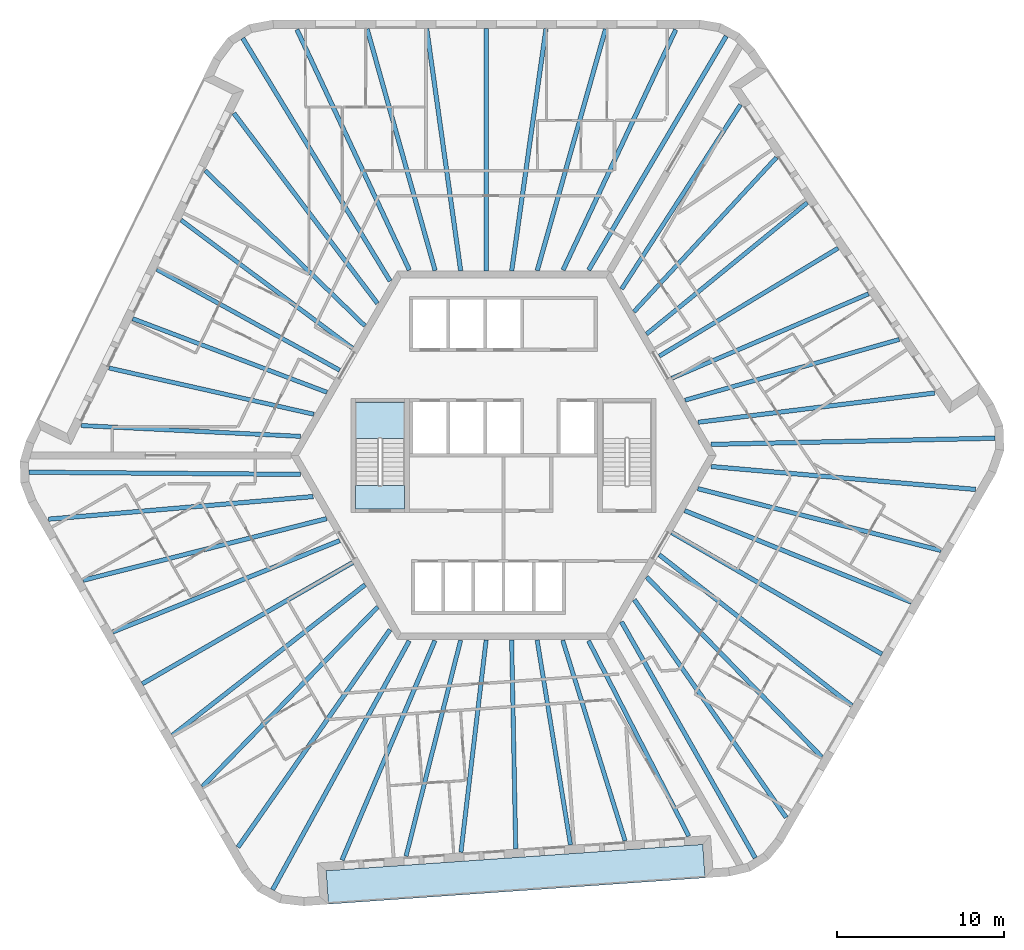
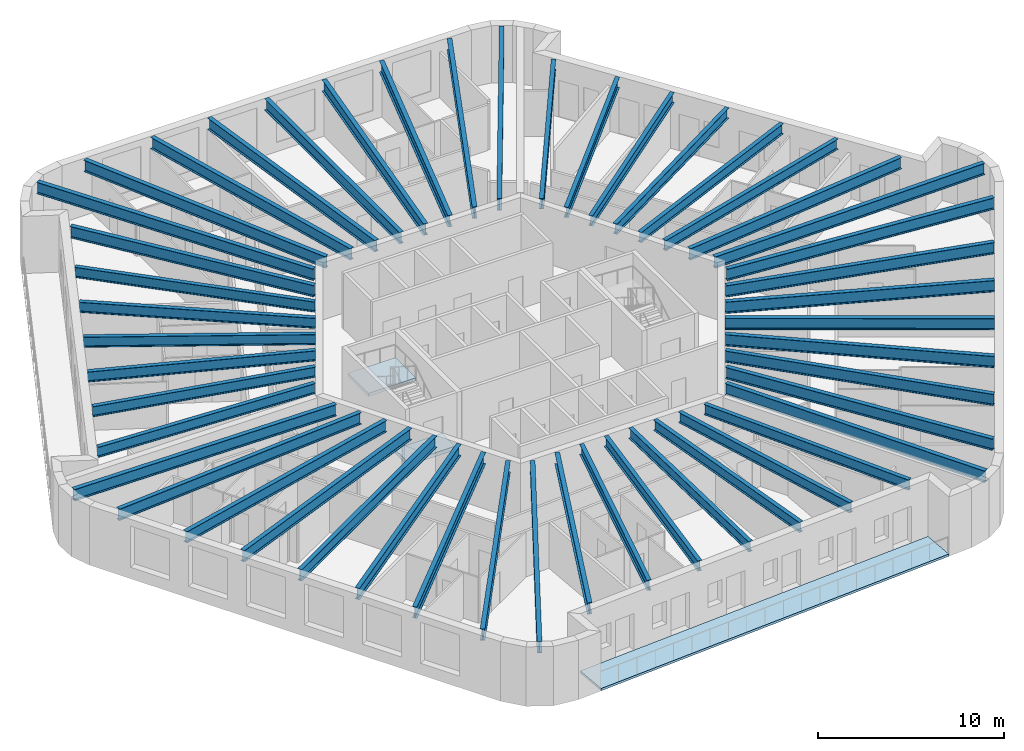
# One storey, part 1 of 12: 48 beams, 3 slabs, 1 element without a shape of its own.
"""IFC4 building model written with IfcOpenShell, lengths in metres."""

from ifc_helpers import new_model, si_unit, direction, frame, origin, origin_2d, place, context, subcontext, project, spatial, polyline, i_section, outline, extrude, material, layer, layer_set, material_profile, profile_set, type_object, element, aggregate, save


model = new_model("IFC4")

# Units and contexts
model_context = context("Model", 3, precision=1e-05, world=origin(), true_north=direction((0.0, 1.0)))
body_context = subcontext(model_context, "Body", "Model", "MODEL_VIEW")
ifc_project = project(units=[si_unit("LENGTHUNIT", "METRE"), si_unit("AREAUNIT", "SQUARE_METRE"), si_unit("VOLUMEUNIT", "CUBIC_METRE"), si_unit("PLANEANGLEUNIT", "RADIAN"), si_unit("MASSUNIT", "GRAM", prefix="KILO")], contexts=[model_context])

# Site, building, storey
site_placement = place(None, origin())
site = spatial("IfcSite", under=ifc_project, at=site_placement, CompositionType="ELEMENT")
building_placement = place(site_placement, origin())
building = spatial("IfcBuilding", under=site, at=building_placement, Name="Tarnside Tower", CompositionType="ELEMENT")
storey_placement = place(building_placement, frame((0.0, 0.0, 310.800048828125)))
storey = spatial("IfcBuildingStorey", under=building, at=storey_placement, Name="L75", CompositionType="ELEMENT", Elevation=310.800048828125)

# Beams
ifc_material_1 = material(Name="Steel S355", Category="steel")
ifc_material_profile_1 = material_profile(ifc_material_1, i_section(OverallWidth=0.2529296875, OverallDepth=0.677978515625, WebThickness=0.01171875, FlangeThickness=0.01611328125, FilletRadius=0.01513671875, at=origin_2d()), Name="UB 686x254x125")
ifc_profile_set_1 = profile_set([ifc_material_profile_1], Name="Steel S355")
beam_type_1 = type_object("IfcBeamType", Name="Floor beam UB 686x254x125", PredefinedType="BEAM", material=ifc_profile_set_1)
beam_1_placement = place(storey_placement, frame((-17.811279296875, 17.002197265625, 3.410888671875), z_axis=(0.717190986424, -0.696876666988, 0.0), x_axis=(0.696876666988, 0.717190986424, 0.0)))
element("IfcBeam", 1, at=beam_1_placement, inside=storey, type_object=beam_type_1, Name="Floor beam F2.02", PredefinedType="BEAM", context=body_context, shape_type="SweptSolid", body=[
    extrude(i_section(OverallWidth=0.2529296875, OverallDepth=0.677978515625, WebThickness=0.01171875, FlangeThickness=0.01611328125, FilletRadius=0.01513671875, at=origin_2d()), origin(), (0.0, 0.0, 1.0), 13.2919921875),
])
beam_2_placement = place(storey_placement, frame((-19.25, 14.0498046875, 3.410888671875), z_axis=(0.801006417676, -0.598655759883, 0.0), x_axis=(0.598655759883, 0.801006417676, 0.0)))
element("IfcBeam", 2, at=beam_2_placement, inside=storey, type_object=beam_type_1, Name="Floor beam F2.03", PredefinedType="BEAM", context=body_context, shape_type="SweptSolid", body=[
    extrude(i_section(OverallWidth=0.2529296875, OverallDepth=0.677978515625, WebThickness=0.01171875, FlangeThickness=0.01611328125, FilletRadius=0.01513671875, at=origin_2d()), origin(), (0.0, 0.0, 1.0), 12.764892578125),
])
beam_3_placement = place(storey_placement, frame((-20.70458984375, 11.111572265625, 3.410888671875), z_axis=(0.875666768762, -0.482915841619, 0.0), x_axis=(0.482915841619, 0.875666768762, 0.0)))
element("IfcBeam", 3, at=beam_3_placement, inside=storey, type_object=beam_type_1, Name="Floor beam F2.04", PredefinedType="BEAM", context=body_context, shape_type="SweptSolid", body=[
    extrude(i_section(OverallWidth=0.2529296875, OverallDepth=0.677978515625, WebThickness=0.01171875, FlangeThickness=0.01611328125, FilletRadius=0.01513671875, at=origin_2d()), origin(), (0.0, 0.0, 1.0), 12.468994140625),
])
beam_4_placement = place(storey_placement, frame((-22.141357421875, 8.165771484375, 3.410888671875), z_axis=(0.935116350489, -0.354340811998, 0.0), x_axis=(0.354340811998, 0.935116350489, 0.0)))
element("IfcBeam", 4, at=beam_4_placement, inside=storey, type_object=beam_type_1, Name="Floor beam F2.05", PredefinedType="BEAM", context=body_context, shape_type="SweptSolid", body=[
    extrude(i_section(OverallWidth=0.2529296875, OverallDepth=0.677978515625, WebThickness=0.01171875, FlangeThickness=0.01611328125, FilletRadius=0.01513671875, at=origin_2d()), origin(), (0.0, 0.0, 1.0), 12.399169921875),
])
beam_5_placement = place(storey_placement, frame((-23.556884765625, 5.2197265625, 3.410888671875), z_axis=(0.975445185376, -0.220242344534, 0.0), x_axis=(0.220242344534, 0.975445185376, 0.0)))
element("IfcBeam", 5, at=beam_5_placement, inside=storey, type_object=beam_type_1, Name="Floor beam F2.06", PredefinedType="BEAM", context=body_context, shape_type="SweptSolid", body=[
    extrude(i_section(OverallWidth=0.2529296875, OverallDepth=0.677978515625, WebThickness=0.01171875, FlangeThickness=0.01611328125, FilletRadius=0.01513671875, at=origin_2d()), origin(), (0.0, 0.0, 1.0), 12.538330078125),
])
beam_6_placement = place(storey_placement, frame((-25.214599609375, 1.7841796875, 3.410888671875), z_axis=(0.998783137237, -0.049317793651, 0.0), x_axis=(0.049317793651, 0.998783137237, 0.0)))
element("IfcBeam", 6, at=beam_6_placement, inside=storey, type_object=beam_type_1, Name="Floor beam F2.07", PredefinedType="BEAM", context=body_context, shape_type="SweptSolid", body=[
    extrude(i_section(OverallWidth=0.2529296875, OverallDepth=0.677978515625, WebThickness=0.01171875, FlangeThickness=0.01611328125, FilletRadius=0.01513671875, at=origin_2d()), origin(), (0.0, 0.0, 1.0), 13.103515625),
])
beam_7_placement = place(storey_placement, frame((-5.818603515625, -23.92626953125, 3.410888671875), z_axis=(0.244907502604, 0.969546448175, 0.0), x_axis=(-0.969546448175, 0.244907502604, 0.0)))
element("IfcBeam", 7, at=beam_7_placement, inside=storey, type_object=beam_type_1, Name="Floor beam F4.02", PredefinedType="BEAM", context=body_context, shape_type="SweptSolid", body=[
    extrude(i_section(OverallWidth=0.2529296875, OverallDepth=0.677978515625, WebThickness=0.01171875, FlangeThickness=0.01611328125, FilletRadius=0.01513671875, at=origin_2d()), origin(), (0.0, 0.0, 1.0), 13.292236328125),
])
beam_8_placement = place(storey_placement, frame((-2.54248046875, -23.69580078125, 3.410888671875), z_axis=(0.117949762105, 0.993019563563, 0.0), x_axis=(-0.993019563563, 0.117949762105, 0.0)))
element("IfcBeam", 8, at=beam_8_placement, inside=storey, type_object=beam_type_1, Name="Floor beam F4.03", PredefinedType="BEAM", context=body_context, shape_type="SweptSolid", body=[
    extrude(i_section(OverallWidth=0.2529296875, OverallDepth=0.677978515625, WebThickness=0.01171875, FlangeThickness=0.01611328125, FilletRadius=0.01513671875, at=origin_2d()), origin(), (0.0, 0.0, 1.0), 12.764892578125),
])
beam_9_placement = place(storey_placement, frame((0.7294921875, -23.486328125, 3.410888671875), z_axis=(-0.019619426101, 0.999807520536, 0.0), x_axis=(-0.999807520536, -0.019619426101, 0.0)))
element("IfcBeam", 9, at=beam_9_placement, inside=storey, type_object=beam_type_1, Name="Floor beam F4.04", PredefinedType="BEAM", context=body_context, shape_type="SweptSolid", body=[
    extrude(i_section(OverallWidth=0.2529296875, OverallDepth=0.677978515625, WebThickness=0.01171875, FlangeThickness=0.01611328125, FilletRadius=0.01513671875, at=origin_2d()), origin(), (0.0, 0.0, 1.0), 12.46875),
])
beam_10_placement = place(storey_placement, frame((3.9990234375, -23.2578125, 3.410888671875), z_axis=(-0.160690769029, 0.987004800773, 0.0), x_axis=(-0.987004800773, -0.160690769029, 0.0)))
element("IfcBeam", 10, at=beam_10_placement, inside=storey, type_object=beam_type_1, Name="Floor beam F4.05", PredefinedType="BEAM", context=body_context, shape_type="SweptSolid", body=[
    extrude(i_section(OverallWidth=0.2529296875, OverallDepth=0.677978515625, WebThickness=0.01171875, FlangeThickness=0.01611328125, FilletRadius=0.01513671875, at=origin_2d()), origin(), (0.0, 0.0, 1.0), 12.399169921875),
])
beam_11_placement = place(storey_placement, frame((7.258056640625, -23.0107421875, 3.410888671875), z_axis=(-0.296997512057, 0.954878252885, 0.0), x_axis=(-0.954878252885, -0.296997512057, 0.0)))
element("IfcBeam", 11, at=beam_11_placement, inside=storey, type_object=beam_type_1, Name="Floor beam F4.06", PredefinedType="BEAM", context=body_context, shape_type="SweptSolid", body=[
    extrude(i_section(OverallWidth=0.2529296875, OverallDepth=0.677978515625, WebThickness=0.01171875, FlangeThickness=0.01611328125, FilletRadius=0.01513671875, at=origin_2d()), origin(), (0.0, 0.0, 1.0), 12.538330078125),
])
beam_12_placement = place(storey_placement, frame((11.06201171875, -22.728515625, 3.410888671875), z_axis=(-0.456683143477, 0.889629420862, 0.0), x_axis=(-0.889629420862, -0.456683143477, 0.0)))
element("IfcBeam", 12, at=beam_12_placement, inside=storey, type_object=beam_type_1, Name="Floor beam F4.07", PredefinedType="BEAM", context=body_context, shape_type="SweptSolid", body=[
    extrude(i_section(OverallWidth=0.2529296875, OverallDepth=0.677978515625, WebThickness=0.01171875, FlangeThickness=0.01611328125, FilletRadius=0.01513671875, at=origin_2d()), origin(), (0.0, 0.0, 1.0), 13.103515625),
])
beam_13_placement = place(storey_placement, frame((23.6298828125, 6.924072265625, 3.410888671875), z_axis=(-0.962104001021, -0.272682766636, 0.0), x_axis=(0.272682766636, -0.962104001021, 0.0)))
element("IfcBeam", 13, at=beam_13_placement, inside=storey, type_object=beam_type_1, Name="Floor beam F6.02", PredefinedType="BEAM", context=body_context, shape_type="SweptSolid", body=[
    extrude(i_section(OverallWidth=0.2529296875, OverallDepth=0.677978515625, WebThickness=0.01171875, FlangeThickness=0.01611328125, FilletRadius=0.01513671875, at=origin_2d()), origin(), (0.0, 0.0, 1.0), 13.2919921875),
])
beam_14_placement = place(storey_placement, frame((21.792236328125, 9.64599609375, 3.410888671875), z_axis=(-0.918954980534, -0.394362452258, 0.0), x_axis=(0.394362452258, -0.918954980534, 0.0)))
element("IfcBeam", 14, at=beam_14_placement, inside=storey, type_object=beam_type_1, Name="Floor beam F6.03", PredefinedType="BEAM", context=body_context, shape_type="SweptSolid", body=[
    extrude(i_section(OverallWidth=0.2529296875, OverallDepth=0.677978515625, WebThickness=0.01171875, FlangeThickness=0.01611328125, FilletRadius=0.01513671875, at=origin_2d()), origin(), (0.0, 0.0, 1.0), 12.7646484375),
])
beam_15_placement = place(storey_placement, frame((19.97509765625, 12.375, 3.410888671875), z_axis=(-0.856046953876, -0.516898068055, 0.0), x_axis=(0.516898068055, -0.856046953876, 0.0)))
element("IfcBeam", 15, at=beam_15_placement, inside=storey, type_object=beam_type_1, Name="Floor beam F6.04", PredefinedType="BEAM", context=body_context, shape_type="SweptSolid", body=[
    extrude(i_section(OverallWidth=0.2529296875, OverallDepth=0.677978515625, WebThickness=0.01171875, FlangeThickness=0.01611328125, FilletRadius=0.01513671875, at=origin_2d()), origin(), (0.0, 0.0, 1.0), 12.46875),
])
beam_16_placement = place(storey_placement, frame((18.142333984375, 15.092041015625, 3.410888671875), z_axis=(-0.774438707576, -0.632648945473, 0.0), x_axis=(0.632648945473, -0.774438707576, 0.0)))
element("IfcBeam", 16, at=beam_16_placement, inside=storey, type_object=beam_type_1, Name="Floor beam F6.05", PredefinedType="BEAM", context=body_context, shape_type="SweptSolid", body=[
    extrude(i_section(OverallWidth=0.2529296875, OverallDepth=0.677978515625, WebThickness=0.01171875, FlangeThickness=0.01611328125, FilletRadius=0.01513671875, at=origin_2d()), origin(), (0.0, 0.0, 1.0), 12.39892578125),
])
beam_17_placement = place(storey_placement, frame((16.299072265625, 17.791015625, 3.410888671875), z_axis=(-0.67846123451, -0.734636204708, 0.0), x_axis=(0.734636204708, -0.67846123451, 0.0)))
element("IfcBeam", 17, at=beam_17_placement, inside=storey, type_object=beam_type_1, Name="Floor beam F6.06", PredefinedType="BEAM", context=body_context, shape_type="SweptSolid", body=[
    extrude(i_section(OverallWidth=0.2529296875, OverallDepth=0.677978515625, WebThickness=0.01171875, FlangeThickness=0.01611328125, FilletRadius=0.01513671875, at=origin_2d()), origin(), (0.0, 0.0, 1.0), 12.538330078125),
])
beam_18_placement = place(storey_placement, frame((14.152587890625, 20.9443359375, 3.410888671875), z_axis=(-0.54209970956, -0.840314170352, 0.0), x_axis=(0.840314170352, -0.54209970956, 0.0)))
element("IfcBeam", 18, at=beam_18_placement, inside=storey, type_object=beam_type_1, Name="Floor beam F6.07", PredefinedType="BEAM", context=body_context, shape_type="SweptSolid", body=[
    extrude(i_section(OverallWidth=0.2529296875, OverallDepth=0.677978515625, WebThickness=0.01171875, FlangeThickness=0.01611328125, FilletRadius=0.01513671875, at=origin_2d()), origin(), (0.0, 0.0, 1.0), 13.103759765625),
])
ifc_material_profile_2 = material_profile(ifc_material_1, i_section(OverallWidth=0.26513671875, OverallDepth=0.75390625, WebThickness=0.0126953125, FlangeThickness=0.017578125, FilletRadius=0.0166015625, at=origin_2d()), Name="UB 762x267x147")
ifc_profile_set_2 = profile_set([ifc_material_profile_2], Name="Steel S355")
beam_type_2 = type_object("IfcBeamType", Name="Floor beam UB 762x267x147", PredefinedType="BEAM", material=ifc_profile_set_2)
beam_19_placement = place(storey_placement, frame((6.093505859375, 25.46142578125, 3.373046875), z_axis=(-0.272147186115, -0.962255636039, 0.0), x_axis=(0.962255636039, -0.272147186115, 0.0)))
element("IfcBeam", 19, at=beam_19_placement, inside=storey, type_object=beam_type_2, Name="Floor beam F1.02", PredefinedType="BEAM", context=body_context, shape_type="SweptSolid", body=[
    extrude(i_section(OverallWidth=0.26513671875, OverallDepth=0.75390625, WebThickness=0.0126953125, FlangeThickness=0.017578125, FilletRadius=0.0166015625, at=origin_2d()), origin(), (0.0, 0.0, 1.0), 14.988525390625),
])
beam_20_placement = place(storey_placement, frame((2.537109375, 25.480224609375, 3.373046875), z_axis=(-0.140349428967, -0.990102034029, 0.0), x_axis=(0.990102034029, -0.140349428967, 0.0)))
element("IfcBeam", 20, at=beam_20_placement, inside=storey, type_object=beam_type_2, Name="Floor beam F1.03", PredefinedType="BEAM", context=body_context, shape_type="SweptSolid", body=[
    extrude(i_section(OverallWidth=0.26513671875, OverallDepth=0.75390625, WebThickness=0.0126953125, FlangeThickness=0.017578125, FilletRadius=0.0166015625, at=origin_2d()), origin(), (0.0, 0.0, 1.0), 14.60498046875),
])
beam_21_placement = place(storey_placement, frame((-1.02490234375, 25.5, 3.373046875), z_axis=(-0.000656653953, -0.999999784403, 0.0), x_axis=(0.999999784403, -0.000656653953, 0.0)))
element("IfcBeam", 21, at=beam_21_placement, inside=storey, type_object=beam_type_2, Name="Floor beam F1.04", PredefinedType="BEAM", context=body_context, shape_type="SweptSolid", body=[
    extrude(i_section(OverallWidth=0.26513671875, OverallDepth=0.75390625, WebThickness=0.0126953125, FlangeThickness=0.017578125, FilletRadius=0.0166015625, at=origin_2d()), origin(), (0.0, 0.0, 1.0), 14.5),
])
beam_22_placement = place(storey_placement, frame((-4.5869140625, 25.480224609375, 3.373046875), z_axis=(0.139070897001, -0.990282427193, 0.0), x_axis=(0.990282427193, 0.139070897001, 0.0)))
element("IfcBeam", 22, at=beam_22_placement, inside=storey, type_object=beam_type_2, Name="Floor beam F1.05", PredefinedType="BEAM", context=body_context, shape_type="SweptSolid", body=[
    extrude(i_section(OverallWidth=0.26513671875, OverallDepth=0.75390625, WebThickness=0.0126953125, FlangeThickness=0.017578125, FilletRadius=0.0166015625, at=origin_2d()), origin(), (0.0, 0.0, 1.0), 14.602294921875),
])
beam_23_placement = place(storey_placement, frame((-8.1435546875, 25.46142578125, 3.373046875), z_axis=(0.270985274434, -0.962583493023, 0.0), x_axis=(0.962583493023, 0.270985274434, 0.0)))
element("IfcBeam", 23, at=beam_23_placement, inside=storey, type_object=beam_type_2, Name="Floor beam F1.06", PredefinedType="BEAM", context=body_context, shape_type="SweptSolid", body=[
    extrude(i_section(OverallWidth=0.26513671875, OverallDepth=0.75390625, WebThickness=0.0126953125, FlangeThickness=0.017578125, FilletRadius=0.0166015625, at=origin_2d()), origin(), (0.0, 0.0, 1.0), 14.9833984375),
])
beam_24_placement = place(storey_placement, frame((-16.101318359375, 20.43212890625, 3.373046875), z_axis=(0.602566097863, -0.798068980543, 0.0), x_axis=(0.798068980543, 0.602566097863, 0.0)))
element("IfcBeam", 24, at=beam_24_placement, inside=storey, type_object=beam_type_2, Name="Floor beam F2.01", PredefinedType="BEAM", context=body_context, shape_type="SweptSolid", body=[
    extrude(i_section(OverallWidth=0.26513671875, OverallDepth=0.75390625, WebThickness=0.0126953125, FlangeThickness=0.017578125, FilletRadius=0.0166015625, at=origin_2d()), origin(), (0.0, 0.0, 1.0), 14.231201171875),
])
beam_25_placement = place(storey_placement, frame((-25.09716796875, -7.45361328125, 3.373046875), z_axis=(0.969413823687, 0.245431942592, 0.0), x_axis=(-0.245431942592, 0.969413823687, 0.0)))
element("IfcBeam", 25, at=beam_25_placement, inside=storey, type_object=beam_type_2, Name="Floor beam F3.02", PredefinedType="BEAM", context=body_context, shape_type="SweptSolid", body=[
    extrude(i_section(OverallWidth=0.26513671875, OverallDepth=0.75390625, WebThickness=0.0126953125, FlangeThickness=0.017578125, FilletRadius=0.0166015625, at=origin_2d()), origin(), (0.0, 0.0, 1.0), 14.98876953125),
])
beam_26_placement = place(storey_placement, frame((-23.3349609375, -10.54296875, 3.373046875), z_axis=(0.927625766949, 0.373510958998, 0.0), x_axis=(-0.373510958998, 0.927625766949, 0.0)))
element("IfcBeam", 26, at=beam_26_placement, inside=storey, type_object=beam_type_2, Name="Floor beam F3.03", PredefinedType="BEAM", context=body_context, shape_type="SweptSolid", body=[
    extrude(i_section(OverallWidth=0.26513671875, OverallDepth=0.75390625, WebThickness=0.0126953125, FlangeThickness=0.017578125, FilletRadius=0.0166015625, at=origin_2d()), origin(), (0.0, 0.0, 1.0), 14.60498046875),
])
beam_27_placement = place(storey_placement, frame((-21.5712890625, -13.6376953125, 3.373046875), z_axis=(0.866357363831, 0.499424587036, 0.0), x_axis=(-0.499424587036, 0.866357363831, 0.0)))
element("IfcBeam", 27, at=beam_27_placement, inside=storey, type_object=beam_type_2, Name="Floor beam F3.04", PredefinedType="BEAM", context=body_context, shape_type="SweptSolid", body=[
    extrude(i_section(OverallWidth=0.26513671875, OverallDepth=0.75390625, WebThickness=0.0126953125, FlangeThickness=0.017578125, FilletRadius=0.0166015625, at=origin_2d()), origin(), (0.0, 0.0, 1.0), 14.5),
])
beam_28_placement = place(storey_placement, frame((-19.77294921875, -16.71240234375, 3.373046875), z_axis=(0.788074813552, 0.615579473541, 0.0), x_axis=(-0.615579473541, 0.788074813552, 0.0)))
element("IfcBeam", 28, at=beam_28_placement, inside=storey, type_object=beam_type_2, Name="Floor beam F3.05", PredefinedType="BEAM", context=body_context, shape_type="SweptSolid", body=[
    extrude(i_section(OverallWidth=0.26513671875, OverallDepth=0.75390625, WebThickness=0.0126953125, FlangeThickness=0.017578125, FilletRadius=0.0166015625, at=origin_2d()), origin(), (0.0, 0.0, 1.0), 14.60205078125),
])
beam_29_placement = place(storey_placement, frame((-17.978515625, -19.783203125, 3.373046875), z_axis=(0.698129580508, 0.71597143017, 0.0), x_axis=(-0.71597143017, 0.698129580508, 0.0)))
element("IfcBeam", 29, at=beam_29_placement, inside=storey, type_object=beam_type_2, Name="Floor beam F3.06", PredefinedType="BEAM", context=body_context, shape_type="SweptSolid", body=[
    extrude(i_section(OverallWidth=0.26513671875, OverallDepth=0.75390625, WebThickness=0.0126953125, FlangeThickness=0.017578125, FilletRadius=0.0166015625, at=origin_2d()), origin(), (0.0, 0.0, 1.0), 14.983642578125),
])
beam_30_placement = place(storey_placement, frame((-9.64404296875, -24.160400390625, 3.373046875), z_axis=(0.389873911801, 0.920868249478, 0.0), x_axis=(-0.920868249478, 0.389873911801, 0.0)))
element("IfcBeam", 30, at=beam_30_placement, inside=storey, type_object=beam_type_2, Name="Floor beam F4.01", PredefinedType="BEAM", context=body_context, shape_type="SweptSolid", body=[
    extrude(i_section(OverallWidth=0.26513671875, OverallDepth=0.75390625, WebThickness=0.0126953125, FlangeThickness=0.017578125, FilletRadius=0.0166015625, at=origin_2d()), origin(), (0.0, 0.0, 1.0), 14.231201171875),
])
beam_31_placement = place(storey_placement, frame((19.00341796875, -18.008056640625, 3.373046875), z_axis=(-0.697249797022, 0.716828236437, 0.0), x_axis=(-0.716828236437, -0.697249797022, 0.0)))
element("IfcBeam", 31, at=beam_31_placement, inside=storey, type_object=beam_type_2, Name="Floor beam F5.02", PredefinedType="BEAM", context=body_context, shape_type="SweptSolid", body=[
    extrude(i_section(OverallWidth=0.26513671875, OverallDepth=0.75390625, WebThickness=0.0126953125, FlangeThickness=0.017578125, FilletRadius=0.0166015625, at=origin_2d()), origin(), (0.0, 0.0, 1.0), 14.98876953125),
])
beam_32_placement = place(storey_placement, frame((20.798095703125, -14.937255859375, 3.373046875), z_axis=(-0.787282014804, 0.616593082321, 0.0), x_axis=(-0.616593082321, -0.787282014804, 0.0)))
element("IfcBeam", 32, at=beam_32_placement, inside=storey, type_object=beam_type_2, Name="Floor beam F5.03", PredefinedType="BEAM", context=body_context, shape_type="SweptSolid", body=[
    extrude(i_section(OverallWidth=0.26513671875, OverallDepth=0.75390625, WebThickness=0.0126953125, FlangeThickness=0.017578125, FilletRadius=0.0166015625, at=origin_2d()), origin(), (0.0, 0.0, 1.0), 14.60498046875),
])
beam_33_placement = place(storey_placement, frame((22.59619140625, -11.8623046875, 3.373046875), z_axis=(-0.865697438889, 0.500567622106, 0.0), x_axis=(-0.500567622106, -0.865697438889, 0.0)))
element("IfcBeam", 33, at=beam_33_placement, inside=storey, type_object=beam_type_2, Name="Floor beam F5.04", PredefinedType="BEAM", context=body_context, shape_type="SweptSolid", body=[
    extrude(i_section(OverallWidth=0.26513671875, OverallDepth=0.75390625, WebThickness=0.0126953125, FlangeThickness=0.017578125, FilletRadius=0.0166015625, at=origin_2d()), origin(), (0.0, 0.0, 1.0), 14.500244140625),
])
beam_34_placement = place(storey_placement, frame((24.35986328125, -8.767578125, 3.373046875), z_axis=(-0.927145907531, 0.374700501933, 0.0), x_axis=(-0.374700501933, -0.927145907531, 0.0)))
element("IfcBeam", 34, at=beam_34_placement, inside=storey, type_object=beam_type_2, Name="Floor beam F5.05", PredefinedType="BEAM", context=body_context, shape_type="SweptSolid", body=[
    extrude(i_section(OverallWidth=0.26513671875, OverallDepth=0.75390625, WebThickness=0.0126953125, FlangeThickness=0.017578125, FilletRadius=0.0166015625, at=origin_2d()), origin(), (0.0, 0.0, 1.0), 14.60205078125),
])
beam_35_placement = place(storey_placement, frame((26.1220703125, -5.67822265625, 3.373046875), z_axis=(-0.969115089144, 0.246608888716, 0.0), x_axis=(-0.246608888716, -0.969115089144, 0.0)))
element("IfcBeam", 35, at=beam_35_placement, inside=storey, type_object=beam_type_2, Name="Floor beam F5.06", PredefinedType="BEAM", context=body_context, shape_type="SweptSolid", body=[
    extrude(i_section(OverallWidth=0.26513671875, OverallDepth=0.75390625, WebThickness=0.0126953125, FlangeThickness=0.017578125, FilletRadius=0.0166015625, at=origin_2d()), origin(), (0.0, 0.0, 1.0), 14.9833984375),
])
beam_36_placement = place(storey_placement, frame((25.745361328125, 3.72802734375, 3.373046875), z_axis=(-0.992433598491, -0.122782541866, 0.0), x_axis=(0.122782541866, -0.992433598491, 0.0)))
element("IfcBeam", 36, at=beam_36_placement, inside=storey, type_object=beam_type_2, Name="Floor beam F6.01", PredefinedType="BEAM", context=body_context, shape_type="SweptSolid", body=[
    extrude(i_section(OverallWidth=0.26513671875, OverallDepth=0.75390625, WebThickness=0.0126953125, FlangeThickness=0.017578125, FilletRadius=0.0166015625, at=origin_2d()), origin(), (0.0, 0.0, 1.0), 14.23095703125),
])
ifc_material_profile_3 = material_profile(ifc_material_1, i_section(OverallWidth=0.2666015625, OverallDepth=0.76220703125, WebThickness=0.014404296875, FlangeThickness=0.021484375, FilletRadius=0.0166015625, at=origin_2d()), Name="UB 762x267x173")
ifc_profile_set_3 = profile_set([ifc_material_profile_3], Name="Steel S355")
beam_type_3 = type_object("IfcBeamType", Name="Floor beam UB 762x267x173", PredefinedType="BEAM", material=ifc_profile_set_3)
beam_37_placement = place(storey_placement, frame((10.285400390625, 25.427490234375, 3.368896484375), z_axis=(-0.424439399801, -0.905456346765, 0.0), x_axis=(0.905456346765, -0.424439399801, 0.0)))
element("IfcBeam", 37, at=beam_37_placement, inside=storey, type_object=beam_type_3, Name="Floor beam F1.01", PredefinedType="BEAM", context=body_context, shape_type="SweptSolid", body=[
    extrude(i_section(OverallWidth=0.2666015625, OverallDepth=0.76220703125, WebThickness=0.014404296875, FlangeThickness=0.021484375, FilletRadius=0.0166015625, at=origin_2d()), origin(), (0.0, 0.0, 1.0), 15.853759765625),
])
beam_38_placement = place(storey_placement, frame((-12.335205078125, 25.427490234375, 3.368896484375), z_axis=(0.423453877267, -0.905917663934, 0.0), x_axis=(0.905917663934, 0.423453877267, 0.0)))
element("IfcBeam", 38, at=beam_38_placement, inside=storey, type_object=beam_type_3, Name="Floor beam F1.07", PredefinedType="BEAM", context=body_context, shape_type="SweptSolid", body=[
    extrude(i_section(OverallWidth=0.2666015625, OverallDepth=0.76220703125, WebThickness=0.014404296875, FlangeThickness=0.021484375, FilletRadius=0.0166015625, at=origin_2d()), origin(), (0.0, 0.0, 1.0), 15.845703125),
])
beam_39_placement = place(storey_placement, frame((-15.5703125, 24.91162109375, 3.368896484375), z_axis=(0.518716683755, -0.854946198304, 0.0), x_axis=(0.854946198304, 0.518716683755, 0.0)))
element("IfcBeam", 39, at=beam_39_placement, inside=storey, type_object=beam_type_3, Name="Floor beam C1", PredefinedType="BEAM", context=body_context, shape_type="SweptSolid", body=[
    extrude(i_section(OverallWidth=0.2666015625, OverallDepth=0.76220703125, WebThickness=0.014404296875, FlangeThickness=0.021484375, FilletRadius=0.0166015625, at=origin_2d()), origin(), (0.0, 0.0, 1.0), 16.961181640625),
])
beam_40_placement = place(storey_placement, frame((-28.3291015625, -1.0009765625, 3.368896484375), z_axis=(0.999966651082, -0.008166806173, 0.0), x_axis=(0.008166806173, 0.999966651082, 0.0)))
element("IfcBeam", 40, at=beam_40_placement, inside=storey, type_object=beam_type_3, Name="Floor beam C2", PredefinedType="BEAM", context=body_context, shape_type="SweptSolid", body=[
    extrude(i_section(OverallWidth=0.2666015625, OverallDepth=0.76220703125, WebThickness=0.014404296875, FlangeThickness=0.021484375, FilletRadius=0.0166015625, at=origin_2d()), origin(), (0.0, 0.0, 1.0), 16.20263671875),
])
beam_41_placement = place(storey_placement, frame((-27.16357421875, -3.806396484375, 3.368896484375), z_axis=(0.996367434748, 0.085158293626, 0.0), x_axis=(-0.085158293626, 0.996367434748, 0.0)))
element("IfcBeam", 41, at=beam_41_placement, inside=storey, type_object=beam_type_3, Name="Floor beam F3.01", PredefinedType="BEAM", context=body_context, shape_type="SweptSolid", body=[
    extrude(i_section(OverallWidth=0.2666015625, OverallDepth=0.76220703125, WebThickness=0.014404296875, FlangeThickness=0.021484375, FilletRadius=0.0166015625, at=origin_2d()), origin(), (0.0, 0.0, 1.0), 15.85400390625),
])
beam_42_placement = place(storey_placement, frame((-15.853271484375, -23.396484375, 3.368896484375), z_axis=(0.572816933654, 0.819683329414, 0.0), x_axis=(-0.819683329414, 0.572816933654, 0.0)))
element("IfcBeam", 42, at=beam_42_placement, inside=storey, type_object=beam_type_3, Name="Floor beam F3.07", PredefinedType="BEAM", context=body_context, shape_type="SweptSolid", body=[
    extrude(i_section(OverallWidth=0.2666015625, OverallDepth=0.76220703125, WebThickness=0.014404296875, FlangeThickness=0.021484375, FilletRadius=0.0166015625, at=origin_2d()), origin(), (0.0, 0.0, 1.0), 15.84619140625),
])
beam_43_placement = place(storey_placement, frame((-13.788818359375, -25.93994140625, 3.368896484375), z_axis=(0.481036073107, 0.876700802081, 0.0), x_axis=(-0.876700802081, 0.481036073107, 0.0)))
element("IfcBeam", 43, at=beam_43_placement, inside=storey, type_object=beam_type_3, Name="Floor beam C3", PredefinedType="BEAM", context=body_context, shape_type="SweptSolid", body=[
    extrude(i_section(OverallWidth=0.2666015625, OverallDepth=0.76220703125, WebThickness=0.014404296875, FlangeThickness=0.021484375, FilletRadius=0.0166015625, at=origin_2d()), origin(), (0.0, 0.0, 1.0), 16.961181640625),
])
beam_44_placement = place(storey_placement, frame((15.031494140625, -24.033447265625, 3.368896484375), z_axis=(-0.49290801997, 0.870081423689, 0.0), x_axis=(-0.870081423689, -0.49290801997, 0.0)))
element("IfcBeam", 44, at=beam_44_placement, inside=storey, type_object=beam_type_3, Name="Floor beam C4", PredefinedType="BEAM", context=body_context, shape_type="SweptSolid", body=[
    extrude(i_section(OverallWidth=0.2666015625, OverallDepth=0.76220703125, WebThickness=0.014404296875, FlangeThickness=0.021484375, FilletRadius=0.0166015625, at=origin_2d()), origin(), (0.0, 0.0, 1.0), 16.202880859375),
])
beam_45_placement = place(storey_placement, frame((16.87841796875, -21.62109375, 3.368896484375), z_axis=(-0.571946235641, 0.82029110902, 0.0), x_axis=(-0.82029110902, -0.571946235641, 0.0)))
element("IfcBeam", 45, at=beam_45_placement, inside=storey, type_object=beam_type_3, Name="Floor beam F5.01", PredefinedType="BEAM", context=body_context, shape_type="SweptSolid", body=[
    extrude(i_section(OverallWidth=0.2666015625, OverallDepth=0.76220703125, WebThickness=0.014404296875, FlangeThickness=0.021484375, FilletRadius=0.0166015625, at=origin_2d()), origin(), (0.0, 0.0, 1.0), 15.85400390625),
])
beam_46_placement = place(storey_placement, frame((28.1884765625, -2.03125, 3.368896484375), z_axis=(-0.996273584651, 0.086249316098, 0.0), x_axis=(-0.086249316098, -0.996273584651, 0.0)))
element("IfcBeam", 46, at=beam_46_placement, inside=storey, type_object=beam_type_3, Name="Floor beam F5.07", PredefinedType="BEAM", context=body_context, shape_type="SweptSolid", body=[
    extrude(i_section(OverallWidth=0.2666015625, OverallDepth=0.76220703125, WebThickness=0.014404296875, FlangeThickness=0.021484375, FilletRadius=0.0166015625, at=origin_2d()), origin(), (0.0, 0.0, 1.0), 15.845947265625),
])
beam_47_placement = place(storey_placement, frame((29.359130859375, 1.028564453125, 3.368896484375), z_axis=(-0.999763142455, -0.02176370807, 0.0), x_axis=(0.02176370807, -0.999763142455, 0.0)))
element("IfcBeam", 47, at=beam_47_placement, inside=storey, type_object=beam_type_3, Name="Floor beam C5", PredefinedType="BEAM", context=body_context, shape_type="SweptSolid", body=[
    extrude(i_section(OverallWidth=0.2666015625, OverallDepth=0.76220703125, WebThickness=0.014404296875, FlangeThickness=0.021484375, FilletRadius=0.0166015625, at=origin_2d()), origin(), (0.0, 0.0, 1.0), 16.961181640625),
])
beam_48_placement = place(storey_placement, frame((13.2978515625, 25.0341796875, 3.368896484375), z_axis=(-0.507080048325, -0.861898964259, 0.0), x_axis=(0.861898964259, -0.507080048325, 0.0)))
element("IfcBeam", 48, at=beam_48_placement, inside=storey, type_object=beam_type_3, Name="Floor beam C6", PredefinedType="BEAM", context=body_context, shape_type="SweptSolid", body=[
    extrude(i_section(OverallWidth=0.2666015625, OverallDepth=0.76220703125, WebThickness=0.014404296875, FlangeThickness=0.021484375, FilletRadius=0.0166015625, at=origin_2d()), origin(), (0.0, 0.0, 1.0), 16.20263671875),
])

# Slabs
ifc_material_2 = material(Name="Concrete C40/50", Category="concrete")
ifc_layer_1 = layer(ifc_material_2, 0.25)
ifc_layer_set_1 = layer_set([ifc_layer_1], Name="Core slab C40/50")
slab_type_1 = type_object("IfcSlabType", Name="Core slab C40/50", PredefinedType="FLOOR", material=ifc_layer_set_1)
slab_1_placement = place(storey_placement, frame((0.0, 0.0, -0.25)))
element("IfcSlab", 49, at=slab_1_placement, inside=storey, type_object=slab_type_1, Name="L75 core floor slab 2", PredefinedType="FLOOR", context=body_context, shape_type="SweptSolid", body=[
    extrude(outline(polyline([(-8.85009765625, -3.199951171875), (-8.85009765625, -1.800048828125), (-5.89990234375, -1.800048828125), (-5.89990234375, -3.199951171875), (-8.85009765625, -3.199951171875)])), origin(), (0.0, 0.0, 1.0), 0.25),
])
ifc_material_3 = material(Name="Timber decking", Category="wood")
ifc_layer_2 = layer(ifc_material_3, 0.0400390625)
ifc_material_4 = material(Name="Concrete C60/75 precast", Category="concrete")
ifc_layer_3 = layer(ifc_material_4, 0.110107421875)
ifc_layer_set_2 = layer_set([ifc_layer_2, ifc_layer_3], Name="Loggia deck 150")
slab_type_2 = type_object("IfcSlabType", Name="Loggia deck 150", PredefinedType="FLOOR", material=ifc_layer_set_2)
slab_2_placement = place(storey_placement, frame((0.0, 0.0, -0.150146484375)))
element("IfcSlab", 50, at=slab_2_placement, inside=storey, type_object=slab_type_2, Name="Loggia deck L75 F4", PredefinedType="FLOOR", context=body_context, shape_type="SweptSolid", body=[
    extrude(outline(polyline([(-10.593017578125, -24.79931640625), (11.896728515625, -23.226806640625), (12.036376953125, -25.221923828125), (-10.45361328125, -26.79443359375), (-10.593017578125, -24.79931640625)])), origin(), (0.0, 0.0, 1.0), 0.150146484375),
])

# Stair, slab
stair_type = type_object("IfcStairType", Name="Exit stair 1400 clear", PredefinedType="HALF_TURN_STAIR", material=ifc_material_2)
stair_placement = place(storey_placement, origin())
stair = element("IfcStair", 51, at=stair_placement, inside=storey, type_object=stair_type, Name="L75 Exit stair 2", PredefinedType="HALF_TURN_STAIR")
ifc_layer_4 = layer(ifc_material_2, 0.199951171875)
ifc_layer_set_3 = layer_set([ifc_layer_4], Name="Stair landing 200 C40/50")
slab_type_3 = type_object("IfcSlabType", Name="Stair landing 200 C40/50", PredefinedType="LANDING", material=ifc_layer_set_3)
slab_3_placement = place(storey_placement, frame((0.0, 0.0, 1.75)))
slab_3 = element("IfcSlab", 52, at=slab_3_placement, type_object=slab_type_3, Name="ST2 landing 1", PredefinedType="LANDING", context=body_context, shape_type="SweptSolid", body=[
    extrude(outline(polyline([(-5.89990234375, 1.0), (-5.89990234375, 3.199951171875), (-8.85009765625, 3.199951171875), (-8.85009765625, 1.0), (-5.89990234375, 1.0)])), origin(), (0.0, 0.0, 1.0), 0.199951171875),
])
aggregate(stair, [slab_3])

save(model, "model.ifc")
